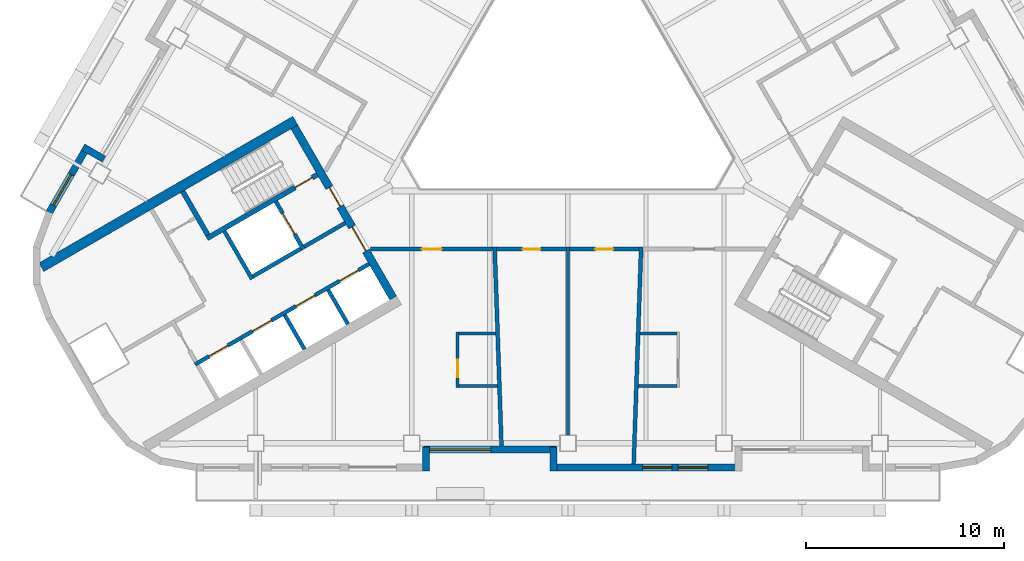
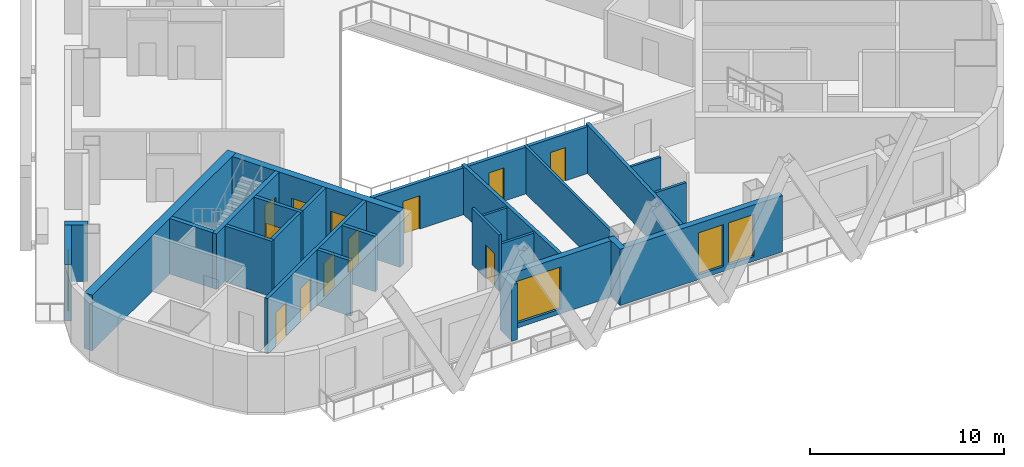
# One storey, part 3 of 13: 28 walls, 12 doors, 4 windows, 16 openings.
"""IFC4 building model written with IfcOpenShell, lengths in metres."""

from ifc_helpers import new_model, si_unit, direction, frame, frame_2d, origin, place, context, subcontext, project, spatial, rectangle, extrude, material, layer, layer_set, type_object, element, fill, save


model = new_model("IFC4")

# Units and contexts
model_context = context("Model", 3, precision=1e-05, world=origin(), true_north=direction((0.0, 1.0)))
body_context = subcontext(model_context, "Body", "Model", "MODEL_VIEW")
ifc_project = project(units=[si_unit("LENGTHUNIT", "METRE"), si_unit("AREAUNIT", "SQUARE_METRE"), si_unit("VOLUMEUNIT", "CUBIC_METRE"), si_unit("PLANEANGLEUNIT", "RADIAN"), si_unit("MASSUNIT", "GRAM", prefix="KILO")], contexts=[model_context])

# Site, building, storey
site_placement = place(None, origin())
site = spatial("IfcSite", under=ifc_project, at=site_placement, CompositionType="ELEMENT")
building_placement = place(site_placement, origin())
building = spatial("IfcBuilding", under=site, at=building_placement, Name="Apuvela Tower Hotel", CompositionType="ELEMENT")
storey_placement = place(building_placement, frame((0.0, 0.0, 183.60009765625)))
storey = spatial("IfcBuildingStorey", under=building, at=storey_placement, Name="L44", CompositionType="ELEMENT", Elevation=183.60009765625)

# Wall, openings, doors
ifc_material_1 = material(Name="Concrete C50/60", Category="concrete")
ifc_layer_1 = layer(ifc_material_1, 0.39990234375)
ifc_layer_set_1 = layer_set([ifc_layer_1], Name="COR-WALL-CORE-400")
wall_type_1 = type_object("IfcWallType", Name="COR-WALL-CORE-400", PredefinedType="SHEAR", material=ifc_layer_set_1)
wall_1_placement = place(storey_placement, frame((-13.844970703125, -2.219970703125, 0.0), z_axis=(0.0, 0.0, 1.0), x_axis=(0.500004234368, -0.866022959057, 0.0)))
wall_1 = element("IfcWall", 1, at=wall_1_placement, inside=storey, type_object=wall_type_1, Name="Core wall SW", PredefinedType="SHEAR", context=body_context, shape_type="SweptSolid", body=[
    extrude(rectangle(XDim=10.0, YDim=0.39990234375, at=frame_2d((5.0, 0.0))), origin(), (0.0, 0.0, 1.0), 3.5),
])
opening_1_placement = place(wall_1_placement, frame((3.550048828125, 0.0, 0.0)))
opening_1 = element("IfcOpeningElement", 2, at=opening_1_placement, cuts=wall_1, Name="Opening W-FD", PredefinedType="OPENING", context=body_context, shape_type="SweptSolid", body=[
    extrude(rectangle(XDim=1.10009765625, YDim=2.10009765625, at=frame_2d((0.550048828125, 1.050048828125))), frame((0.0, 0.2099609375, 0.0), z_axis=(0.0, -1.0, 0.0), x_axis=(1.0, 0.0, 0.0)), (0.0, 0.0, 1.0), 0.419921875),
])
opening_2_placement = place(wall_1_placement, frame((5.85009765625, 0.0, 0.0)))
opening_2 = element("IfcOpeningElement", 3, at=opening_2_placement, cuts=wall_1, Name="Opening W-GD", PredefinedType="OPENING", context=body_context, shape_type="SweptSolid", body=[
    extrude(rectangle(XDim=1.39990234375, YDim=2.10009765625, at=frame_2d((0.699951171875, 1.050048828125))), frame((0.0, 0.2099609375, 0.0), z_axis=(0.0, -1.0, 0.0), x_axis=(1.0, 0.0, 0.0)), (0.0, 0.0, 1.0), 0.419921875),
])
ifc_material_2 = material(Name="Steel fire door, powder coated", Category="steel")
door_type_1 = type_object("IfcDoorType", Name="COR-FD-1100", OperationType="NOTDEFINED", PredefinedType="DOOR", material=ifc_material_2)
door_1_placement = place(opening_1_placement, frame((1.10009765625, 0.0, 0.0), z_axis=(0.0, 0.0, 1.0), x_axis=(-1.0, 0.0, 0.0)))
door_1 = element("IfcDoor", 4, at=door_1_placement, inside=storey, type_object=door_type_1, Name="Firefighting lobby door W-FD", OperationType="SINGLE_SWING_LEFT", OverallHeight=2.10009765625, OverallWidth=1.10009765625, PredefinedType="DOOR", context=body_context, shape_type="SweptSolid", body=[
    extrude(rectangle(XDim=1.10009765625, YDim=2.10009765625, at=frame_2d((0.550048828125, 1.050048828125))), frame((0.0, 0.02490234375, 0.0), z_axis=(0.0, -1.0, 0.0), x_axis=(1.0, 0.0, 0.0)), (0.0, 0.0, 1.0), 0.050048828125),
])
fill(opening_1, door_1)
ifc_material_3 = material(Name="Glazed steel fire door", Category="steel")
door_type_2 = type_object("IfcDoorType", Name="COR-GD-1400", OperationType="DOUBLE_DOOR_SINGLE_SWING", PredefinedType="DOOR", material=ifc_material_3)
door_2_placement = place(opening_2_placement, frame((1.39990234375, 0.0, 0.0), z_axis=(0.0, 0.0, 1.0), x_axis=(-1.0, 0.0, 0.0)))
door_2 = element("IfcDoor", 5, at=door_2_placement, inside=storey, type_object=door_type_2, Name="Lift lobby door W-GD", OperationType="DOUBLE_DOOR_SINGLE_SWING", OverallHeight=2.10009765625, OverallWidth=1.39990234375, PredefinedType="DOOR", context=body_context, shape_type="SweptSolid", body=[
    extrude(rectangle(XDim=1.39990234375, YDim=2.10009765625, at=frame_2d((0.699951171875, 1.050048828125))), frame((0.0, 0.02490234375, 0.0), z_axis=(0.0, -1.0, 0.0), x_axis=(1.0, 0.0, 0.0)), (0.0, 0.0, 1.0), 0.050048828125),
])
fill(opening_2, door_2)

# Walls
ifc_layer_2 = layer(ifc_material_1, 0.5)
ifc_layer_set_2 = layer_set([ifc_layer_2], Name="COR-WALL-CORE-500")
wall_type_2 = type_object("IfcWallType", Name="COR-WALL-CORE-500", PredefinedType="SHEAR", material=ifc_layer_set_2)
wall_2_placement = place(storey_placement, frame((-13.796630859375, -1.9033203125, 0.0), z_axis=(0.0, 0.0, 1.0), x_axis=(-0.866025009528, -0.500000682871, 0.0)))
element("IfcWall", 6, at=wall_2_placement, inside=storey, type_object=wall_type_2, Name="Core wall SW", PredefinedType="SHEAR", context=body_context, shape_type="SweptSolid", body=[
    extrude(rectangle(XDim=14.8369140625, YDim=0.5, at=frame_2d((7.41845703125, 0.0))), origin(), (0.0, 0.0, 1.0), 3.5),
])
ifc_layer_3 = layer(ifc_material_1, 0.199951171875)
ifc_layer_set_3 = layer_set([ifc_layer_3], Name="COR-WALL-SHAFT-200")
wall_type_3 = type_object("IfcWallType", Name="COR-WALL-SHAFT-200", PredefinedType="SHEAR", material=ifc_layer_set_3)
wall_3_placement = place(storey_placement, frame((-17.38134765625, -7.49462890625, 0.0), z_axis=(0.0, 0.0, 1.0), x_axis=(0.500011755427, -0.866018616679, 0.0)))
element("IfcWall", 7, at=wall_3_placement, inside=storey, type_object=wall_type_3, Name="Shaft wall SW", PredefinedType="SHEAR", context=body_context, shape_type="SweptSolid", body=[
    extrude(rectangle(XDim=2.80029296875, YDim=0.199951171875, at=frame_2d((1.400146484375, 0.0))), origin(), (0.0, 0.0, 1.0), 3.5),
])

# Wall, opening, door
wall_4_placement = place(storey_placement, frame((-14.783203125, -5.99462890625, 0.0), z_axis=(0.0, 0.0, 1.0), x_axis=(0.49994636267, -0.866056369097, 0.0)))
wall_4 = element("IfcWall", 8, at=wall_4_placement, inside=storey, type_object=wall_type_3, Name="Shaft wall SW", PredefinedType="SHEAR", context=body_context, shape_type="SweptSolid", body=[
    extrude(rectangle(XDim=2.800048828125, YDim=0.199951171875, at=frame_2d((1.39990234375, 0.0))), origin(), (0.0, 0.0, 1.0), 3.5),
])
opening_3_placement = place(wall_4_placement, frame((0.699951171875, 0.0, 0.0)))
opening_3 = element("IfcOpeningElement", 9, at=opening_3_placement, cuts=wall_4, Name="Opening W-LD-FS2", PredefinedType="OPENING", context=body_context, shape_type="SweptSolid", body=[
    extrude(rectangle(XDim=1.199951171875, YDim=2.10009765625, at=frame_2d((0.60009765625, 1.050048828125))), frame((0.0, 0.10986328125, 0.0), z_axis=(0.0, -1.0, 0.0), x_axis=(1.0, 0.0, 0.0)), (0.0, 0.0, 1.0), 0.219970703125),
])
ifc_material_4 = material(Name="Stainless steel lift landing door", Category="steel")
door_type_3 = type_object("IfcDoorType", Name="COR-LD-1200", OperationType="DOUBLE_DOOR_SLIDING", PredefinedType="DOOR", material=ifc_material_4)
door_3_placement = place(opening_3_placement, origin())
door_3 = element("IfcDoor", 10, at=door_3_placement, inside=storey, type_object=door_type_3, Name="Lift landing door W-LD-FS2", OperationType="DOUBLE_DOOR_SLIDING", OverallHeight=2.10009765625, OverallWidth=1.199951171875, PredefinedType="DOOR", context=body_context, shape_type="SweptSolid", body=[
    extrude(rectangle(XDim=1.199951171875, YDim=2.10009765625, at=frame_2d((0.60009765625, 1.050048828125))), frame((0.0, 0.02490234375, 0.0), z_axis=(0.0, -1.0, 0.0), x_axis=(1.0, 0.0, 0.0)), (0.0, 0.0, 1.0), 0.050048828125),
])
fill(opening_3, door_3)

# Walls
wall_5_placement = place(storey_placement, frame((-13.519775390625, -8.383056640625, 0.0), z_axis=(0.0, 0.0, 1.0), x_axis=(-0.866034573852, -0.49998411664, 0.0)))
element("IfcWall", 11, at=wall_5_placement, inside=storey, type_object=wall_type_3, Name="Shaft wall SW", PredefinedType="SHEAR", context=body_context, shape_type="SweptSolid", body=[
    extrude(rectangle(XDim=2.7998046875, YDim=0.199951171875, at=frame_2d((1.39990234375, 0.0))), origin(), (0.0, 0.0, 1.0), 3.5),
])
wall_6_placement = place(storey_placement, frame((-11.26806640625, -7.0830078125, 0.0), z_axis=(0.0, 0.0, 1.0), x_axis=(-0.866050077142, -0.499957262057, 0.0)))
element("IfcWall", 12, at=wall_6_placement, inside=storey, type_object=wall_type_3, Name="Shaft wall SW", PredefinedType="SHEAR", context=body_context, shape_type="SweptSolid", body=[
    extrude(rectangle(XDim=2.400146484375, YDim=0.199951171875, at=frame_2d((1.2001953125, 0.0))), origin(), (0.0, 0.0, 1.0), 3.5),
])

# Wall, openings, doors
wall_7_placement = place(storey_placement, frame((-10.068115234375, -9.16162109375, 0.0), z_axis=(0.0, 0.0, 1.0), x_axis=(-0.866032725843, -0.499987317609, 0.0)))
wall_7 = element("IfcWall", 13, at=wall_7_placement, inside=storey, type_object=wall_type_3, Name="Shaft wall SW", PredefinedType="SHEAR", context=body_context, shape_type="SweptSolid", body=[
    extrude(rectangle(XDim=10.159912109375, YDim=0.199951171875, at=frame_2d((5.080078125, 0.0))), origin(), (0.0, 0.0, 1.0), 3.5),
])
opening_4_placement = place(wall_7_placement, frame((0.6201171875, 0.0, 0.0)))
opening_4 = element("IfcOpeningElement", 14, at=opening_4_placement, cuts=wall_7, Name="Opening W-LD-MR1", PredefinedType="OPENING", context=body_context, shape_type="SweptSolid", body=[
    extrude(rectangle(XDim=1.10009765625, YDim=2.10009765625, at=frame_2d((0.550048828125, 1.050048828125))), frame((0.0, 0.10986328125, 0.0), z_axis=(0.0, -1.0, 0.0), x_axis=(1.0, 0.0, 0.0)), (0.0, 0.0, 1.0), 0.219970703125),
])
opening_5_placement = place(wall_7_placement, frame((3.159912109375, 0.0, 0.0)))
opening_5 = element("IfcOpeningElement", 15, at=opening_5_placement, cuts=wall_7, Name="Opening W-LD-MR2", PredefinedType="OPENING", context=body_context, shape_type="SweptSolid", body=[
    extrude(rectangle(XDim=1.10009765625, YDim=2.10009765625, at=frame_2d((0.550048828125, 1.050048828125))), frame((0.0, 0.10986328125, 0.0), z_axis=(0.0, -1.0, 0.0), x_axis=(1.0, 0.0, 0.0)), (0.0, 0.0, 1.0), 0.219970703125),
])
opening_6_placement = place(wall_7_placement, frame((5.699951171875, 0.0, 0.0)))
opening_6 = element("IfcOpeningElement", 16, at=opening_6_placement, cuts=wall_7, Name="Opening W-LD-MR3", PredefinedType="OPENING", context=body_context, shape_type="SweptSolid", body=[
    extrude(rectangle(XDim=1.10009765625, YDim=2.10009765625, at=frame_2d((0.550048828125, 1.050048828125))), frame((0.0, 0.10986328125, 0.0), z_axis=(0.0, -1.0, 0.0), x_axis=(1.0, 0.0, 0.0)), (0.0, 0.0, 1.0), 0.219970703125),
])
opening_7_placement = place(wall_7_placement, frame((8.239990234375, 0.0, 0.0)))
opening_7 = element("IfcOpeningElement", 17, at=opening_7_placement, cuts=wall_7, Name="Opening W-LD-MR4", PredefinedType="OPENING", context=body_context, shape_type="SweptSolid", body=[
    extrude(rectangle(XDim=1.10009765625, YDim=2.10009765625, at=frame_2d((0.550048828125, 1.050048828125))), frame((0.0, 0.10986328125, 0.0), z_axis=(0.0, -1.0, 0.0), x_axis=(1.0, 0.0, 0.0)), (0.0, 0.0, 1.0), 0.219970703125),
])
door_type_4 = type_object("IfcDoorType", Name="COR-LD-1100", OperationType="DOUBLE_DOOR_SLIDING", PredefinedType="DOOR", material=ifc_material_4)
door_4_placement = place(opening_4_placement, origin())
door_4 = element("IfcDoor", 18, at=door_4_placement, inside=storey, type_object=door_type_4, Name="Lift landing door W-LD-MR1", OperationType="DOUBLE_DOOR_SLIDING", OverallHeight=2.10009765625, OverallWidth=1.10009765625, PredefinedType="DOOR", context=body_context, shape_type="SweptSolid", body=[
    extrude(rectangle(XDim=1.10009765625, YDim=2.10009765625, at=frame_2d((0.550048828125, 1.050048828125))), frame((0.0, 0.02490234375, 0.0), z_axis=(0.0, -1.0, 0.0), x_axis=(1.0, 0.0, 0.0)), (0.0, 0.0, 1.0), 0.050048828125),
])
fill(opening_4, door_4)
door_5_placement = place(opening_5_placement, origin())
door_5 = element("IfcDoor", 19, at=door_5_placement, inside=storey, type_object=door_type_4, Name="Lift landing door W-LD-MR2", OperationType="DOUBLE_DOOR_SLIDING", OverallHeight=2.10009765625, OverallWidth=1.10009765625, PredefinedType="DOOR", context=body_context, shape_type="SweptSolid", body=[
    extrude(rectangle(XDim=1.10009765625, YDim=2.10009765625, at=frame_2d((0.550048828125, 1.050048828125))), frame((0.0, 0.02490234375, 0.0), z_axis=(0.0, -1.0, 0.0), x_axis=(1.0, 0.0, 0.0)), (0.0, 0.0, 1.0), 0.050048828125),
])
fill(opening_5, door_5)
door_6_placement = place(opening_6_placement, origin())
door_6 = element("IfcDoor", 20, at=door_6_placement, inside=storey, type_object=door_type_4, Name="Lift landing door W-LD-MR3", OperationType="DOUBLE_DOOR_SLIDING", OverallHeight=2.10009765625, OverallWidth=1.10009765625, PredefinedType="DOOR", context=body_context, shape_type="SweptSolid", body=[
    extrude(rectangle(XDim=1.10009765625, YDim=2.10009765625, at=frame_2d((0.550048828125, 1.050048828125))), frame((0.0, 0.02490234375, 0.0), z_axis=(0.0, -1.0, 0.0), x_axis=(1.0, 0.0, 0.0)), (0.0, 0.0, 1.0), 0.050048828125),
])
fill(opening_6, door_6)
door_7_placement = place(opening_7_placement, origin())
door_7 = element("IfcDoor", 21, at=door_7_placement, inside=storey, type_object=door_type_4, Name="Lift landing door W-LD-MR4", OperationType="DOUBLE_DOOR_SLIDING", OverallHeight=2.10009765625, OverallWidth=1.10009765625, PredefinedType="DOOR", context=body_context, shape_type="SweptSolid", body=[
    extrude(rectangle(XDim=1.10009765625, YDim=2.10009765625, at=frame_2d((0.550048828125, 1.050048828125))), frame((0.0, 0.02490234375, 0.0), z_axis=(0.0, -1.0, 0.0), x_axis=(1.0, 0.0, 0.0)), (0.0, 0.0, 1.0), 0.050048828125),
])
fill(opening_7, door_7)

# Walls
for number, where, z_axis, x_axis, name in (
    (22, (-12.131103515625, -10.468017578125, 0.0), (0.0, 0.0, 1.0), (0.499972520799, -0.866041268327, 0.0), "Shaft wall SW"),
    (23, (-14.330810546875, -11.738037109375, 0.0), (0.0, 0.0, 1.0), (0.499972520799, -0.866041268327, 0.0), "Shaft wall SW"),
):
    element("IfcWall", number, at=place(storey_placement, frame(where, z_axis=z_axis, x_axis=x_axis)), inside=storey, type_object=wall_type_3, Name=name, PredefinedType="SHEAR", context=body_context, shape_type="SweptSolid", body=[
        extrude(rectangle(XDim=2.0, YDim=0.199951171875, at=frame_2d((1.0, 0.0))), origin(), (0.0, 0.0, 1.0), 3.5),
    ])

# Wall, opening, door
ifc_layer_4 = layer(ifc_material_1, 0.25)
ifc_layer_set_4 = layer_set([ifc_layer_4], Name="COR-WALL-STAIR-250")
wall_type_4 = type_object("IfcWallType", Name="COR-WALL-STAIR-250", PredefinedType="SHEAR", material=ifc_layer_set_4)
wall_8_placement = place(storey_placement, frame((-12.6806640625, -4.636474609375, 0.0), z_axis=(0.0, 0.0, 1.0), x_axis=(-0.866021702275, -0.500006411147, 0.0)))
wall_8 = element("IfcWall", 24, at=wall_8_placement, inside=storey, type_object=wall_type_4, Name="Stair wall SW", PredefinedType="SHEAR", context=body_context, shape_type="SweptSolid", body=[
    extrude(rectangle(XDim=6.4501953125, YDim=0.25, at=frame_2d((3.22509765625, 0.0))), origin(), (0.0, 0.0, 1.0), 3.5),
])
opening_8_placement = place(wall_8_placement, frame((0.300048828125, 0.0, 0.0)))
opening_8 = element("IfcOpeningElement", 25, at=opening_8_placement, cuts=wall_8, Name="Opening W-SD", PredefinedType="OPENING", context=body_context, shape_type="SweptSolid", body=[
    extrude(rectangle(XDim=1.0, YDim=2.10009765625, at=frame_2d((0.5, 1.050048828125))), frame((0.0, 0.135009765625, 0.0), z_axis=(0.0, -1.0, 0.0), x_axis=(1.0, 0.0, 0.0)), (0.0, 0.0, 1.0), 0.27001953125),
])
door_type_5 = type_object("IfcDoorType", Name="COR-SD-1000", OperationType="NOTDEFINED", PredefinedType="DOOR", material=ifc_material_2)
door_8_placement = place(opening_8_placement, frame((1.0, 0.0, 0.0), z_axis=(0.0, 0.0, 1.0), x_axis=(-1.0, 0.0, 0.0)))
door_8 = element("IfcDoor", 26, at=door_8_placement, inside=storey, type_object=door_type_5, Name="Stair door W-SD", OperationType="SINGLE_SWING_LEFT", OverallHeight=2.10009765625, OverallWidth=1.0, PredefinedType="DOOR", context=body_context, shape_type="SweptSolid", body=[
    extrude(rectangle(XDim=1.0, YDim=2.10009765625, at=frame_2d((0.5, 1.050048828125))), frame((0.0, 0.02490234375, 0.0), z_axis=(0.0, -1.0, 0.0), x_axis=(1.0, 0.0, 0.0)), (0.0, 0.0, 1.0), 0.050048828125),
])
fill(opening_8, door_8)

# Walls
wall_9_placement = place(storey_placement, frame((-19.49560546875, -5.482421875, 0.0), z_axis=(0.0, 0.0, 1.0), x_axis=(0.499990435942, -0.866030925526, 0.0)))
element("IfcWall", 27, at=wall_9_placement, inside=storey, type_object=wall_type_4, Name="Stair wall SW", PredefinedType="SHEAR", context=body_context, shape_type="SweptSolid", body=[
    extrude(rectangle(XDim=2.5498046875, YDim=0.25, at=frame_2d((1.27490234375, 0.0))), origin(), (0.0, 0.0, 1.0), 3.5),
])
ifc_material_5 = material(Name="Concrete C40/50, dark pigmented precast panel", Category="concrete")
ifc_layer_5 = layer(ifc_material_5, 0.35009765625)
ifc_layer_set_5 = layer_set([ifc_layer_5], Name="ENV-WALL-350")
wall_type_5 = type_object("IfcWallType", Name="ENV-WALL-350", PredefinedType="SOLIDWALL", material=ifc_layer_set_5)
wall_10_placement = place(storey_placement, frame((-23.48095703125, -3.85009765625, 0.0), z_axis=(0.0, 0.0, 1.0), x_axis=(-0.866092288191, 0.499884134912, 0.0)))
element("IfcWall", 28, at=wall_10_placement, inside=storey, type_object=wall_type_5, Name="External wall L44-08", PredefinedType="SOLIDWALL", context=body_context, shape_type="SweptSolid", body=[
    extrude(rectangle(XDim=1.219970703125, YDim=0.35009765625, at=frame_2d((0.60986328125, 0.0))), origin(), (0.0, 0.0, 1.0), 3.5498046875),
])

# Wall, opening, window
wall_11_placement = place(storey_placement, frame((-24.298583984375, -3.17626953125, 0.0), z_axis=(0.0, 0.0, 1.0), x_axis=(-0.500028278809, -0.866009076391, 0.0)))
wall_11 = element("IfcWall", 29, at=wall_11_placement, inside=storey, type_object=wall_type_5, Name="External wall L44-09", PredefinedType="SOLIDWALL", context=body_context, shape_type="SweptSolid", body=[
    extrude(rectangle(XDim=3.915771484375, YDim=0.35009765625, at=frame_2d((1.9580078125, 0.0))), origin(), (0.0, 0.0, 1.0), 3.5498046875),
])
opening_9_placement = place(wall_11_placement, frame((1.675048828125, 0.0, 0.300048828125)))
opening_9 = element("IfcOpeningElement", 30, at=opening_9_placement, cuts=wall_11, Name="Opening WN18", PredefinedType="OPENING", context=body_context, shape_type="SweptSolid", body=[
    extrude(rectangle(XDim=1.800048828125, YDim=2.64990234375, at=frame_2d((0.89990234375, 1.324951171875))), frame((0.0, 0.18505859375, 0.0), z_axis=(0.0, -1.0, 0.0), x_axis=(1.0, 0.0, 0.0)), (0.0, 0.0, 1.0), 0.3701171875),
])
ifc_material_6 = material(Name="Glass, dark tinted laminated insulated glazing unit", Category="glass")
window_type_1 = type_object("IfcWindowType", Name="ENV-WIN-1800x2650", PartitioningType="SINGLE_PANEL", PredefinedType="WINDOW", material=ifc_material_6)
window_1_placement = place(opening_9_placement, origin())
window_1 = element("IfcWindow", 31, at=window_1_placement, inside=storey, type_object=window_type_1, Name="Window WN18", OverallHeight=2.64990234375, OverallWidth=1.800048828125, PartitioningType="SINGLE_PANEL", PredefinedType="WINDOW", context=body_context, shape_type="SweptSolid", body=[
    extrude(rectangle(XDim=1.800048828125, YDim=2.64990234375, at=frame_2d((0.89990234375, 1.324951171875))), frame((0.0, 0.030029296875, 0.0), z_axis=(0.0, -1.0, 0.0), x_axis=(1.0, 0.0, 0.0)), (0.0, 0.0, 1.0), 0.06005859375),
])
fill(opening_9, window_1)

# Wall
wall_12_placement = place(storey_placement, frame((-7.175048828125, -19.6298828125, 0.0), z_axis=(0.0, 0.0, 1.0), x_axis=(0.0, 1.0, 0.0)))
element("IfcWall", 32, at=wall_12_placement, inside=storey, type_object=wall_type_5, Name="External wall L44-18", PredefinedType="SOLIDWALL", context=body_context, shape_type="SweptSolid", body=[
    extrude(rectangle(XDim=1.219970703125, YDim=0.35009765625, at=frame_2d((0.60986328125, 0.0))), origin(), (0.0, 0.0, 1.0), 3.5498046875),
])

# Wall, opening, window
wall_13_placement = place(storey_placement, frame((-7.320068359375, -18.554931640625, 0.0), z_axis=(0.0, 0.0, 1.0), x_axis=(1.0, 0.0, 0.0)))
wall_13 = element("IfcWall", 33, at=wall_13_placement, inside=storey, type_object=wall_type_5, Name="External wall L44-19", PredefinedType="SOLIDWALL", context=body_context, shape_type="SweptSolid", body=[
    extrude(rectangle(XDim=6.739990234375, YDim=0.35009765625, at=frame_2d((3.3701171875, 0.0))), origin(), (0.0, 0.0, 1.0), 3.5498046875),
])
opening_10_placement = place(wall_13_placement, frame((0.3203125, 0.0, 0.300048828125)))
opening_10 = element("IfcOpeningElement", 34, at=opening_10_placement, cuts=wall_13, Name="Opening WN31", PredefinedType="OPENING", context=body_context, shape_type="SweptSolid", body=[
    extrude(rectangle(XDim=3.10009765625, YDim=2.64990234375, at=frame_2d((1.550048828125, 1.324951171875))), frame((0.0, 0.18505859375, 0.0), z_axis=(0.0, -1.0, 0.0), x_axis=(1.0, 0.0, 0.0)), (0.0, 0.0, 1.0), 0.3701171875),
])
window_type_2 = type_object("IfcWindowType", Name="ENV-WIN-3100x2650", PartitioningType="SINGLE_PANEL", PredefinedType="WINDOW", material=ifc_material_6)
window_2_placement = place(opening_10_placement, origin())
window_2 = element("IfcWindow", 35, at=window_2_placement, inside=storey, type_object=window_type_2, Name="Window WN31", OverallHeight=2.64990234375, OverallWidth=3.10009765625, PartitioningType="SINGLE_PANEL", PredefinedType="WINDOW", context=body_context, shape_type="SweptSolid", body=[
    extrude(rectangle(XDim=3.10009765625, YDim=2.64990234375, at=frame_2d((1.550048828125, 1.324951171875))), frame((0.0, 0.030029296875, 0.0), z_axis=(0.0, -1.0, 0.0), x_axis=(1.0, 0.0, 0.0)), (0.0, 0.0, 1.0), 0.06005859375),
])
fill(opening_10, window_2)

# Wall
wall_14_placement = place(storey_placement, frame((-0.72509765625, -18.409912109375, 0.0), z_axis=(0.0, 0.0, 1.0), x_axis=(0.0, -1.0, 0.0)))
element("IfcWall", 36, at=wall_14_placement, inside=storey, type_object=wall_type_5, Name="External wall L44-20", PredefinedType="SOLIDWALL", context=body_context, shape_type="SweptSolid", body=[
    extrude(rectangle(XDim=1.219970703125, YDim=0.35009765625, at=frame_2d((0.60986328125, 0.0))), origin(), (0.0, 0.0, 1.0), 3.5498046875),
])

# Wall, openings, windows
wall_15_placement = place(storey_placement, frame((-0.89990234375, -19.455078125, 0.0), z_axis=(0.0, 0.0, 1.0), x_axis=(1.0, 0.0, 0.0)))
wall_15 = element("IfcWall", 37, at=wall_15_placement, inside=storey, type_object=wall_type_5, Name="External wall L44-21", PredefinedType="SOLIDWALL", context=body_context, shape_type="SweptSolid", body=[
    extrude(rectangle(XDim=9.699951171875, YDim=0.35009765625, at=frame_2d((4.85009765625, 0.0))), origin(), (0.0, 0.0, 1.0), 3.5498046875),
])
opening_11_placement = place(wall_15_placement, frame((4.6796875, 0.0, 0.300048828125)))
opening_11 = element("IfcOpeningElement", 38, at=opening_11_placement, cuts=wall_15, Name="Opening WN15", PredefinedType="OPENING", context=body_context, shape_type="SweptSolid", body=[
    extrude(rectangle(XDim=1.5, YDim=2.64990234375, at=frame_2d((0.75, 1.324951171875))), frame((0.0, 0.18505859375, 0.0), z_axis=(0.0, -1.0, 0.0), x_axis=(1.0, 0.0, 0.0)), (0.0, 0.0, 1.0), 0.3701171875),
])
opening_12_placement = place(wall_15_placement, frame((6.479736328125, 0.0, 0.300048828125)))
opening_12 = element("IfcOpeningElement", 39, at=opening_12_placement, cuts=wall_15, Name="Opening WN15", PredefinedType="OPENING", context=body_context, shape_type="SweptSolid", body=[
    extrude(rectangle(XDim=1.5, YDim=2.64990234375, at=frame_2d((0.75, 1.324951171875))), frame((0.0, 0.18505859375, 0.0), z_axis=(0.0, -1.0, 0.0), x_axis=(1.0, 0.0, 0.0)), (0.0, 0.0, 1.0), 0.3701171875),
])
window_type_3 = type_object("IfcWindowType", Name="ENV-WIN-1500x2650", PartitioningType="SINGLE_PANEL", PredefinedType="WINDOW", material=ifc_material_6)
window_3_placement = place(opening_11_placement, origin())
window_3 = element("IfcWindow", 40, at=window_3_placement, inside=storey, type_object=window_type_3, Name="Window WN15", OverallHeight=2.64990234375, OverallWidth=1.5, PartitioningType="SINGLE_PANEL", PredefinedType="WINDOW", context=body_context, shape_type="SweptSolid", body=[
    extrude(rectangle(XDim=1.5, YDim=2.64990234375, at=frame_2d((0.75, 1.324951171875))), frame((0.0, 0.030029296875, 0.0), z_axis=(0.0, -1.0, 0.0), x_axis=(1.0, 0.0, 0.0)), (0.0, 0.0, 1.0), 0.06005859375),
])
fill(opening_11, window_3)
window_4_placement = place(opening_12_placement, origin())
window_4 = element("IfcWindow", 41, at=window_4_placement, inside=storey, type_object=window_type_3, Name="Window WN15", OverallHeight=2.64990234375, OverallWidth=1.5, PartitioningType="SINGLE_PANEL", PredefinedType="WINDOW", context=body_context, shape_type="SweptSolid", body=[
    extrude(rectangle(XDim=1.5, YDim=2.64990234375, at=frame_2d((0.75, 1.324951171875))), frame((0.0, 0.030029296875, 0.0), z_axis=(0.0, -1.0, 0.0), x_axis=(1.0, 0.0, 0.0)), (0.0, 0.0, 1.0), 0.06005859375),
])
fill(opening_12, window_4)

# Walls
ifc_material_7 = material(Name="Gypsum board partition on twin steel stud", Category="steel")
ifc_layer_6 = layer(ifc_material_7, 0.199951171875)
ifc_layer_set_6 = layer_set([ifc_layer_6], Name="GST-PW1")
wall_type_6 = type_object("IfcWallType", Name="GST-PW1", PredefinedType="PARTITIONING", material=ifc_layer_set_6)
wall_16_placement = place(storey_placement, frame((-3.36083984375, -18.3798828125, 0.0), z_axis=(0.0, 0.0, 1.0), x_axis=(-0.034300534927, 0.999411563523, 0.0)))
element("IfcWall", 42, at=wall_16_placement, inside=storey, type_object=wall_type_6, Name="L44 partition 01", PredefinedType="PARTITIONING", context=body_context, shape_type="SweptSolid", body=[
    extrude(rectangle(XDim=10.085693359375, YDim=0.199951171875, at=frame_2d((5.04296875, 0.0))), origin(), (0.0, 0.0, 1.0), 3.059814453125),
])
wall_17_placement = place(storey_placement, frame((3.330078125, -19.280029296875, 0.0), z_axis=(0.0, 0.0, 1.0), x_axis=(0.034288537327, 0.999411975217, 0.0)))
element("IfcWall", 43, at=wall_17_placement, inside=storey, type_object=wall_type_6, Name="L44 partition 02", PredefinedType="PARTITIONING", context=body_context, shape_type="SweptSolid", body=[
    extrude(rectangle(XDim=10.986328125, YDim=0.199951171875, at=frame_2d((5.4931640625, 0.0))), origin(), (0.0, 0.0, 1.0), 3.059814453125),
])

# Wall, opening, door
ifc_material_8 = material(Name="Gypsum board corridor wall on twin steel stud, acoustic", Category="steel")
ifc_layer_7 = layer(ifc_material_8, 0.199951171875)
ifc_layer_set_7 = layer_set([ifc_layer_7], Name="GST-PW2")
wall_type_7 = type_object("IfcWallType", Name="GST-PW2", PredefinedType="PARTITIONING", material=ifc_layer_set_7)
wall_18_placement = place(storey_placement, frame((-3.803466796875, -8.39990234375, 0.0), z_axis=(0.0, 0.0, 1.0), x_axis=(-1.0, 0.0, 0.0)))
wall_18 = element("IfcWall", 44, at=wall_18_placement, inside=storey, type_object=wall_type_7, Name="L44 partition 07", PredefinedType="PARTITIONING", context=body_context, shape_type="SweptSolid", body=[
    extrude(rectangle(XDim=6.184814453125, YDim=0.199951171875, at=frame_2d((3.09228515625, 0.0))), origin(), (0.0, 0.0, 1.0), 2.949951171875),
])
opening_13_placement = place(wall_18_placement, frame((2.59228515625, 0.0, 0.0)))
opening_13 = element("IfcOpeningElement", 45, at=opening_13_placement, cuts=wall_18, Name="Opening GD17-02", PredefinedType="OPENING", context=body_context, shape_type="SweptSolid", body=[
    extrude(rectangle(XDim=1.0, YDim=2.10009765625, at=frame_2d((0.5, 1.050048828125))), frame((0.0, 0.10986328125, 0.0), z_axis=(0.0, -1.0, 0.0), x_axis=(1.0, 0.0, 0.0)), (0.0, 0.0, 1.0), 0.219970703125),
])
ifc_material_9 = material(Name="Timber door leaf in steel frame", Category="steel")
door_type_6 = type_object("IfcDoorType", Name="GST-D1", OperationType="NOTDEFINED", PredefinedType="DOOR", material=ifc_material_9)
door_9_placement = place(opening_13_placement, origin())
door_9 = element("IfcDoor", 46, at=door_9_placement, inside=storey, type_object=door_type_6, Name="Door L44-02", OperationType="SINGLE_SWING_LEFT", OverallHeight=2.10009765625, OverallWidth=1.0, PredefinedType="DOOR", context=body_context, shape_type="SweptSolid", body=[
    extrude(rectangle(XDim=1.0, YDim=2.10009765625, at=frame_2d((0.5, 1.050048828125))), frame((0.0, 0.02490234375, 0.0), z_axis=(0.0, -1.0, 0.0), x_axis=(1.0, 0.0, 0.0)), (0.0, 0.0, 1.0), 0.050048828125),
])
fill(opening_13, door_9)

wall_19_placement = place(storey_placement, frame((-0.074951171875, -8.39990234375, 0.0), z_axis=(0.0, 0.0, 1.0), x_axis=(-1.0, 0.0, 0.0)))
wall_19 = element("IfcWall", 47, at=wall_19_placement, inside=storey, type_object=wall_type_7, Name="L44 partition 12", PredefinedType="PARTITIONING", context=body_context, shape_type="SweptSolid", body=[
    extrude(rectangle(XDim=3.528564453125, YDim=0.199951171875, at=frame_2d((1.76416015625, 0.0))), origin(), (0.0, 0.0, 1.0), 2.949951171875),
])
opening_14_placement = place(wall_19_placement, frame((1.314208984375, 0.0, 0.0)))
opening_14 = element("IfcOpeningElement", 48, at=opening_14_placement, cuts=wall_19, Name="Opening GD17-03", PredefinedType="OPENING", context=body_context, shape_type="SweptSolid", body=[
    extrude(rectangle(XDim=0.89990234375, YDim=2.10009765625, at=frame_2d((0.449951171875, 1.050048828125))), frame((0.0, 0.10986328125, 0.0), z_axis=(0.0, -1.0, 0.0), x_axis=(1.0, 0.0, 0.0)), (0.0, 0.0, 1.0), 0.219970703125),
])
door_type_7 = type_object("IfcDoorType", Name="GST-D2", OperationType="NOTDEFINED", PredefinedType="DOOR", material=ifc_material_9)
door_10_placement = place(opening_14_placement, origin())
door_10 = element("IfcDoor", 49, at=door_10_placement, inside=storey, type_object=door_type_7, Name="Door L44-03", OperationType="SINGLE_SWING_LEFT", OverallHeight=2.10009765625, OverallWidth=0.89990234375, PredefinedType="DOOR", context=body_context, shape_type="SweptSolid", body=[
    extrude(rectangle(XDim=0.89990234375, YDim=2.10009765625, at=frame_2d((0.449951171875, 1.050048828125))), frame((0.0, 0.02490234375, 0.0), z_axis=(0.0, -1.0, 0.0), x_axis=(1.0, 0.0, 0.0)), (0.0, 0.0, 1.0), 0.050048828125),
])
fill(opening_14, door_10)

wall_20_placement = place(storey_placement, frame((3.603515625, -8.39990234375, 0.0), z_axis=(0.0, 0.0, 1.0), x_axis=(-1.0, 0.0, 0.0)))
wall_20 = element("IfcWall", 50, at=wall_20_placement, inside=storey, type_object=wall_type_7, Name="L44 partition 13", PredefinedType="PARTITIONING", context=body_context, shape_type="SweptSolid", body=[
    extrude(rectangle(XDim=3.528564453125, YDim=0.199951171875, at=frame_2d((1.76416015625, 0.0))), origin(), (0.0, 0.0, 1.0), 2.949951171875),
])
opening_15_placement = place(wall_20_placement, frame((1.314208984375, 0.0, 0.0)))
opening_15 = element("IfcOpeningElement", 51, at=opening_15_placement, cuts=wall_20, Name="Opening GD17-04", PredefinedType="OPENING", context=body_context, shape_type="SweptSolid", body=[
    extrude(rectangle(XDim=0.89990234375, YDim=2.10009765625, at=frame_2d((0.449951171875, 1.050048828125))), frame((0.0, 0.10986328125, 0.0), z_axis=(0.0, -1.0, 0.0), x_axis=(1.0, 0.0, 0.0)), (0.0, 0.0, 1.0), 0.219970703125),
])
door_11_placement = place(opening_15_placement, origin())
door_11 = element("IfcDoor", 52, at=door_11_placement, inside=storey, type_object=door_type_7, Name="Door L44-04", OperationType="SINGLE_SWING_RIGHT", OverallHeight=2.10009765625, OverallWidth=0.89990234375, PredefinedType="DOOR", context=body_context, shape_type="SweptSolid", body=[
    extrude(rectangle(XDim=0.89990234375, YDim=2.10009765625, at=frame_2d((0.449951171875, 1.050048828125))), frame((0.0, 0.02490234375, 0.0), z_axis=(0.0, -1.0, 0.0), x_axis=(1.0, 0.0, 0.0)), (0.0, 0.0, 1.0), 0.050048828125),
])
fill(opening_15, door_11)

ifc_material_10 = material(Name="Moisture-resistant gypsum board wet wall on steel stud", Category="steel")
ifc_layer_8 = layer(ifc_material_10, 0.14990234375)
ifc_layer_set_8 = layer_set([ifc_layer_8], Name="GST-PW3")
wall_type_8 = type_object("IfcWallType", Name="GST-PW3", PredefinedType="PARTITIONING", material=ifc_layer_set_8)
wall_21_placement = place(storey_placement, frame((-5.584228515625, -12.60009765625, 0.0), z_axis=(0.0, 0.0, 1.0), x_axis=(0.0, -1.0, 0.0)))
wall_21 = element("IfcWall", 53, at=wall_21_placement, inside=storey, type_object=wall_type_8, Name="L44 partition 08", PredefinedType="PARTITIONING", context=body_context, shape_type="SweptSolid", body=[
    extrude(rectangle(XDim=2.7998046875, YDim=0.14990234375, at=frame_2d((1.39990234375, 0.0))), origin(), (0.0, 0.0, 1.0), 3.5498046875),
])
opening_16_placement = place(wall_21_placement, frame((1.39990234375, 0.0, 0.0)))
opening_16 = element("IfcOpeningElement", 54, at=opening_16_placement, cuts=wall_21, Name="Opening GD17-01", PredefinedType="OPENING", context=body_context, shape_type="SweptSolid", body=[
    extrude(rectangle(XDim=0.89990234375, YDim=2.10009765625, at=frame_2d((0.449951171875, 1.050048828125))), frame((0.0, 0.0849609375, 0.0), z_axis=(0.0, -1.0, 0.0), x_axis=(1.0, 0.0, 0.0)), (0.0, 0.0, 1.0), 0.169921875),
])
door_12_placement = place(opening_16_placement, origin())
door_12 = element("IfcDoor", 55, at=door_12_placement, inside=storey, type_object=door_type_7, Name="Door L44-01", OperationType="SINGLE_SWING_RIGHT", OverallHeight=2.10009765625, OverallWidth=0.89990234375, PredefinedType="DOOR", context=body_context, shape_type="SweptSolid", body=[
    extrude(rectangle(XDim=0.89990234375, YDim=2.10009765625, at=frame_2d((0.449951171875, 1.050048828125))), frame((0.0, 0.02490234375, 0.0), z_axis=(0.0, -1.0, 0.0), x_axis=(1.0, 0.0, 0.0)), (0.0, 0.0, 1.0), 0.050048828125),
])
fill(opening_16, door_12)

# Walls
wall_22_placement = place(storey_placement, frame((-5.50927734375, -15.324951171875, 0.0), z_axis=(0.0, 0.0, 1.0), x_axis=(1.0, 0.0, 0.0)))
element("IfcWall", 56, at=wall_22_placement, inside=storey, type_object=wall_type_8, Name="L44 partition 09", PredefinedType="PARTITIONING", context=body_context, shape_type="SweptSolid", body=[
    extrude(rectangle(XDim=1.943359375, YDim=0.14990234375, at=frame_2d((0.9716796875, 0.0))), origin(), (0.0, 0.0, 1.0), 2.949951171875),
])
wall_23_placement = place(storey_placement, frame((-5.50927734375, -12.675048828125, 0.0), z_axis=(0.0, 0.0, 1.0), x_axis=(1.0, 0.0, 0.0)))
element("IfcWall", 57, at=wall_23_placement, inside=storey, type_object=wall_type_8, Name="L44 partition 10", PredefinedType="PARTITIONING", context=body_context, shape_type="SweptSolid", body=[
    extrude(rectangle(XDim=1.8525390625, YDim=0.14990234375, at=frame_2d((0.92626953125, 0.0))), origin(), (0.0, 0.0, 1.0), 2.949951171875),
])
wall_24_placement = place(storey_placement, frame((0.0, -17.804931640625, 0.0), z_axis=(0.0, 0.0, 1.0), x_axis=(0.0, 1.0, 0.0)))
element("IfcWall", 58, at=wall_24_placement, inside=storey, type_object=wall_type_8, Name="L44 partition 11", PredefinedType="PARTITIONING", context=body_context, shape_type="SweptSolid", body=[
    extrude(rectangle(XDim=9.5048828125, YDim=0.14990234375, at=frame_2d((4.75244140625, 0.0))), origin(), (0.0, 0.0, 1.0), 2.949951171875),
])
wall_25_placement = place(storey_placement, frame((3.56591796875, -15.324951171875, 0.0), z_axis=(0.0, 0.0, 1.0), x_axis=(1.0, 0.0, 0.0)))
element("IfcWall", 59, at=wall_25_placement, inside=storey, type_object=wall_type_8, Name="L44 partition 16", PredefinedType="PARTITIONING", context=body_context, shape_type="SweptSolid", body=[
    extrude(rectangle(XDim=1.943359375, YDim=0.14990234375, at=frame_2d((0.9716796875, 0.0))), origin(), (0.0, 0.0, 1.0), 2.949951171875),
])
wall_26_placement = place(storey_placement, frame((3.65673828125, -12.675048828125, 0.0), z_axis=(0.0, 0.0, 1.0), x_axis=(1.0, 0.0, 0.0)))
element("IfcWall", 60, at=wall_26_placement, inside=storey, type_object=wall_type_8, Name="L44 partition 17", PredefinedType="PARTITIONING", context=body_context, shape_type="SweptSolid", body=[
    extrude(rectangle(XDim=1.8525390625, YDim=0.14990234375, at=frame_2d((0.92626953125, 0.0))), origin(), (0.0, 0.0, 1.0), 2.949951171875),
])

save(model, "model.ifc")
